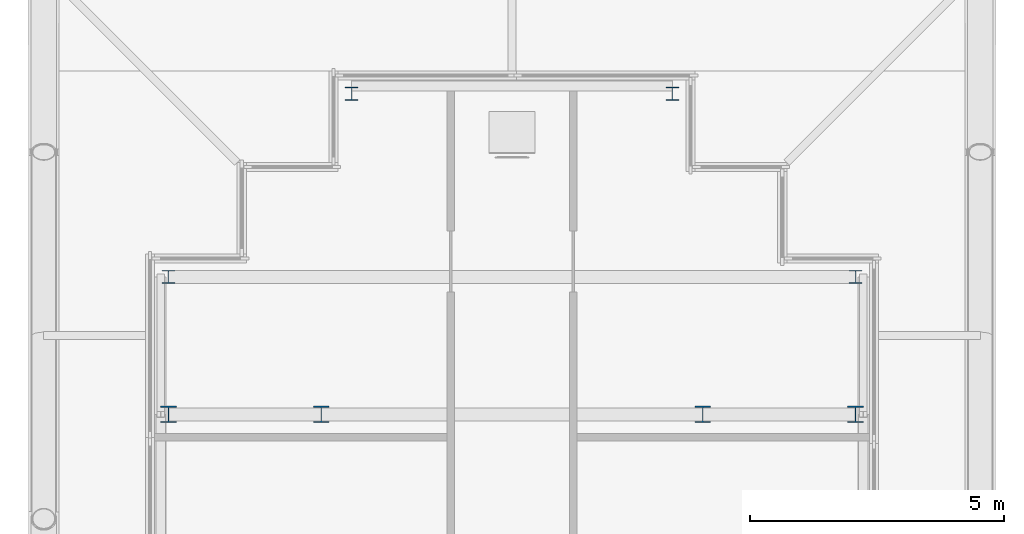
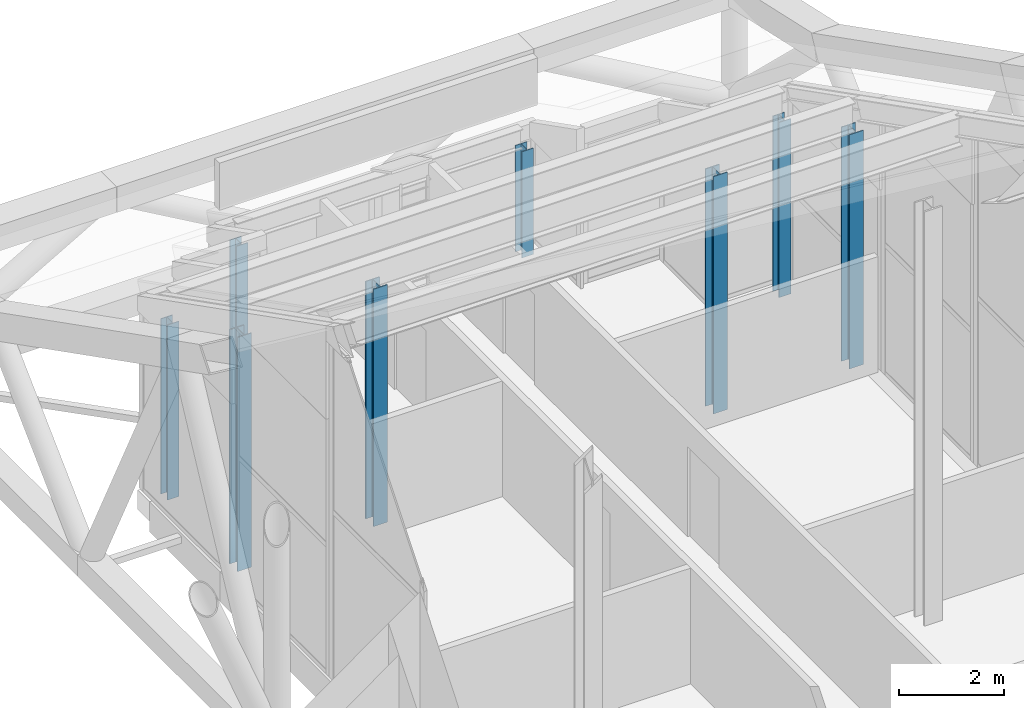
# One storey, part 3 of 25: 8 columns.
"""IFC4 building model written with IfcOpenShell, lengths in metres."""

from ifc_helpers import new_model, si_unit, direction, frame, origin, origin_2d, place, context, subcontext, project, spatial, i_section, extrude, material, material_profile, profile_set, type_object, element, save


model = new_model("IFC4")

# Units and contexts
model_context = context("Model", 3, precision=1e-05, world=origin(), true_north=direction((0.0, 1.0)))
body_context = subcontext(model_context, "Body", "Model", "MODEL_VIEW")
ifc_project = project(units=[si_unit("LENGTHUNIT", "METRE"), si_unit("AREAUNIT", "SQUARE_METRE"), si_unit("VOLUMEUNIT", "CUBIC_METRE"), si_unit("PLANEANGLEUNIT", "RADIAN"), si_unit("MASSUNIT", "GRAM", prefix="KILO")], contexts=[model_context])

# Site, building, storey
site_placement = place(None, origin())
site = spatial("IfcSite", under=ifc_project, at=site_placement, CompositionType="ELEMENT")
building_placement = place(site_placement, origin())
building = spatial("IfcBuilding", under=site, at=building_placement, Name="Fustian Cross Tower", CompositionType="ELEMENT")
storey_placement = place(building_placement, frame((0.0, 0.0, 247.5)))
storey = spatial("IfcBuildingStorey", under=building, at=storey_placement, Name="L77", CompositionType="ELEMENT", Elevation=247.5)

# Columns
ifc_material_1 = material(Name="Steel S355", Category="steel")
ifc_material_profile_1 = material_profile(ifc_material_1, i_section(OverallWidth=0.25634765625, OverallDepth=0.26025390625, WebThickness=0.01025390625, FlangeThickness=0.017333984375, FilletRadius=0.0126953125, at=origin_2d()), Name="UC 254x254x89")
ifc_profile_set_1 = profile_set([ifc_material_profile_1], Name="Steel S355")
column_type_1 = type_object("IfcColumnType", Name="COLUMN UC 254x254x89 S355", PredefinedType="COLUMN", material=ifc_profile_set_1)
column_1_placement = place(storey_placement, frame((-6.75, 17.550048828125, 0.0), z_axis=(0.0, 0.0, 1.0), x_axis=(1.0, 0.0, 0.0)))
element("IfcColumn", 1, at=column_1_placement, inside=storey, type_object=column_type_1, Name="COLUMN 020", PredefinedType="COLUMN", context=body_context, shape_type="SweptSolid", body=[
    extrude(i_section(OverallWidth=0.25634765625, OverallDepth=0.26025390625, WebThickness=0.01025390625, FlangeThickness=0.017333984375, FilletRadius=0.0126953125, at=origin_2d()), origin(), (0.0, 0.0, 1.0), 4.086669921875),
])
for number, where, z_axis, x_axis, name in (
    (2, (-3.14990234375, 21.14990234375, 0.0), (0.0, 0.0, 1.0), (1.0, 0.0, 0.0), "COLUMN 031"),
    (3, (3.14990234375, 21.14990234375, 0.0), (0.0, 0.0, 1.0), (1.0, 0.0, 0.0), "COLUMN 035"),
):
    element("IfcColumn", number, at=place(storey_placement, frame(where, z_axis=z_axis, x_axis=x_axis)), inside=storey, type_object=column_type_1, Name=name, PredefinedType="COLUMN", context=body_context, shape_type="SweptSolid", body=[
        extrude(i_section(OverallWidth=0.25634765625, OverallDepth=0.26025390625, WebThickness=0.01025390625, FlangeThickness=0.017333984375, FilletRadius=0.0126953125, at=origin_2d()), origin(), (0.0, 0.0, 1.0), 2.47900390625),
    ])
column_2_placement = place(storey_placement, frame((6.75, 17.550048828125, 0.0), z_axis=(0.0, 0.0, 1.0), x_axis=(1.0, 0.0, 0.0)))
element("IfcColumn", 4, at=column_2_placement, inside=storey, type_object=column_type_1, Name="COLUMN 048", PredefinedType="COLUMN", context=body_context, shape_type="SweptSolid", body=[
    extrude(i_section(OverallWidth=0.25634765625, OverallDepth=0.26025390625, WebThickness=0.01025390625, FlangeThickness=0.017333984375, FilletRadius=0.0126953125, at=origin_2d()), origin(), (0.0, 0.0, 1.0), 4.086669921875),
])
ifc_material_2 = material(Name="Steel S355", Category="steel")
ifc_material_profile_2 = material_profile(ifc_material_2, i_section(OverallWidth=0.30908203125, OverallDepth=0.320556640625, WebThickness=0.013916015625, FlangeThickness=0.021728515625, FilletRadius=0.01513671875, at=origin_2d()), Name="UC 305x305x137")
ifc_profile_set_2 = profile_set([ifc_material_profile_2], Name="Steel S355")
column_type_2 = type_object("IfcColumnType", Name="COLUMN UC 305x305x137 S355", PredefinedType="COLUMN", material=ifc_profile_set_2)
column_3_placement = place(storey_placement, frame((-6.75, 14.85009765625, 0.0), z_axis=(0.0, 0.0, 1.0), x_axis=(1.0, 0.0, 0.0)))
element("IfcColumn", 5, at=column_3_placement, inside=storey, type_object=column_type_2, Name="COLUMN 019", PredefinedType="COLUMN", context=body_context, shape_type="SweptSolid", body=[
    extrude(i_section(OverallWidth=0.30908203125, OverallDepth=0.320556640625, WebThickness=0.013916015625, FlangeThickness=0.021728515625, FilletRadius=0.01513671875, at=origin_2d()), origin(), (0.0, 0.0, 1.0), 5.461669921875),
])
for number, where, z_axis, x_axis, name in (
    (6, (-3.75, 14.85009765625, 0.0), (0.0, 0.0, 1.0), (1.0, 0.0, 0.0), "COLUMN 028"),
    (7, (3.75, 14.85009765625, 0.0), (0.0, 0.0, 1.0), (1.0, 0.0, 0.0), "COLUMN 040"),
):
    element("IfcColumn", number, at=place(storey_placement, frame(where, z_axis=z_axis, x_axis=x_axis)), inside=storey, type_object=column_type_2, Name=name, PredefinedType="COLUMN", context=body_context, shape_type="SweptSolid", body=[
        extrude(i_section(OverallWidth=0.30908203125, OverallDepth=0.320556640625, WebThickness=0.013916015625, FlangeThickness=0.021728515625, FilletRadius=0.01513671875, at=origin_2d()), origin(), (0.0, 0.0, 1.0), 5.53759765625),
    ])
column_4_placement = place(storey_placement, frame((6.75, 14.85009765625, 0.0), z_axis=(0.0, 0.0, 1.0), x_axis=(1.0, 0.0, 0.0)))
element("IfcColumn", 8, at=column_4_placement, inside=storey, type_object=column_type_2, Name="COLUMN 047", PredefinedType="COLUMN", context=body_context, shape_type="SweptSolid", body=[
    extrude(i_section(OverallWidth=0.30908203125, OverallDepth=0.320556640625, WebThickness=0.013916015625, FlangeThickness=0.021728515625, FilletRadius=0.01513671875, at=origin_2d()), origin(), (0.0, 0.0, 1.0), 5.461669921875),
])

save(model, "model.ifc")
